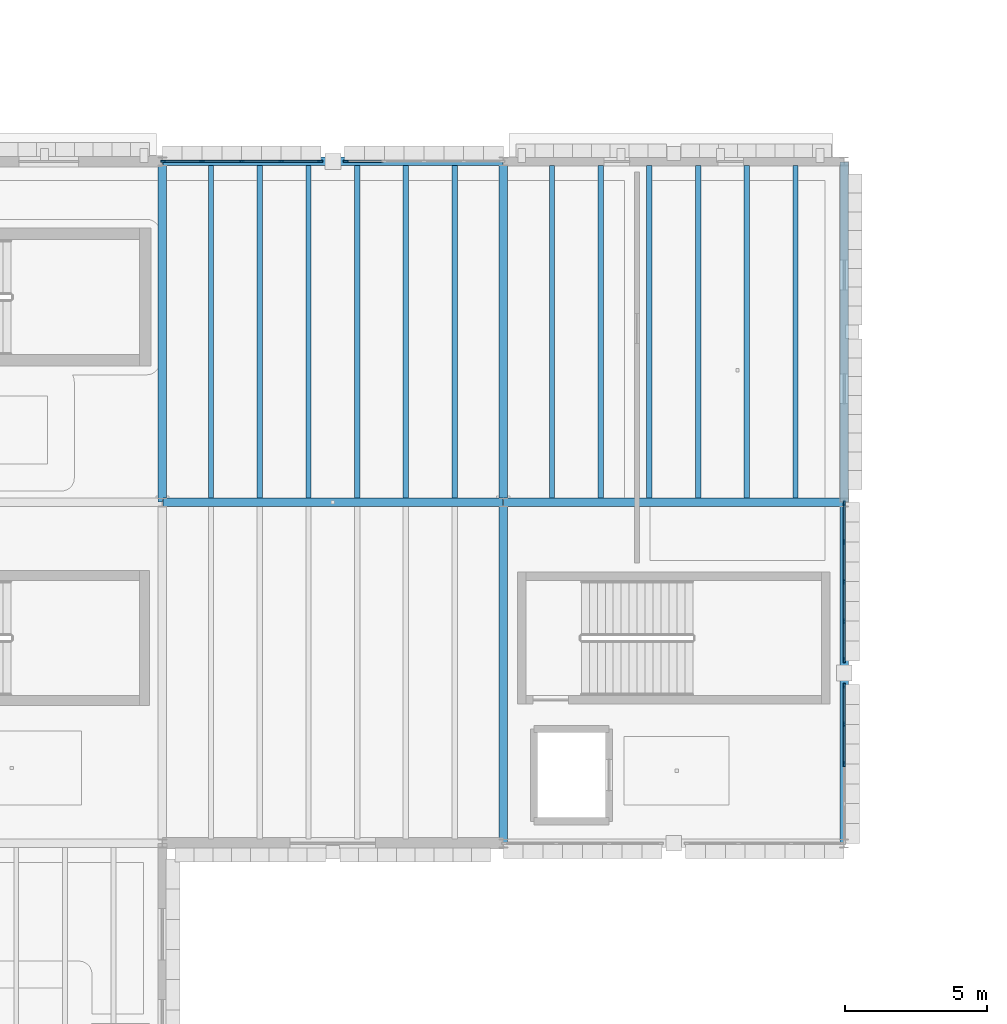
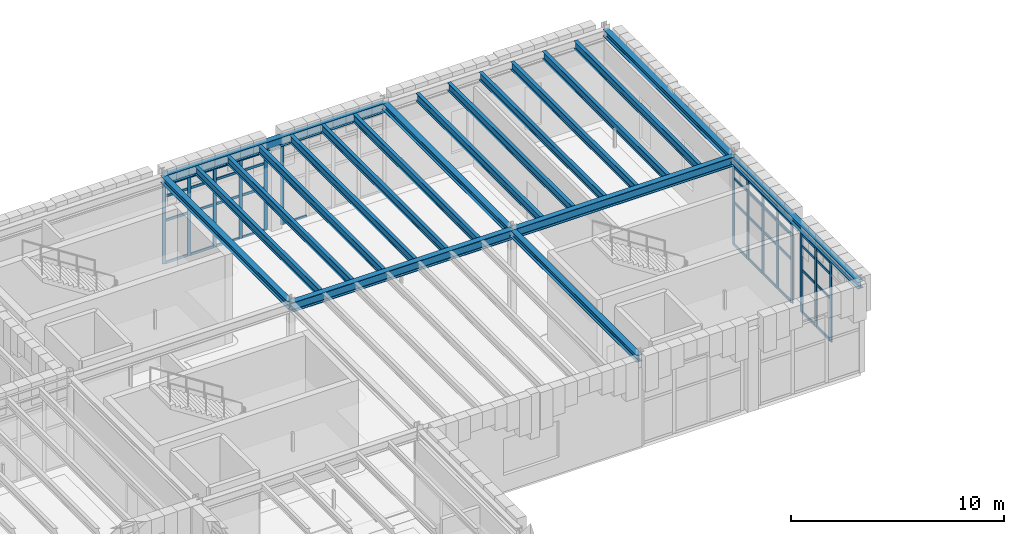
# One storey, part 42 of 100: 55 members, 20 beams, 4 elements without a shape of their own.
"""IFC4 building model written with IfcOpenShell, lengths in metres."""

from ifc_helpers import new_model, si_unit, direction, frame, origin, origin_2d, place, context, subcontext, project, spatial, rectangle, i_section, extrude, material, layer, layer_set, material_profile, profile_set, type_object, element, aggregate, save


model = new_model("IFC4")

# Units and contexts
model_context = context("Model", 3, precision=1e-05, world=origin(), true_north=direction((0.0, 1.0)))
body_context = subcontext(model_context, "Body", "Model", "MODEL_VIEW")
ifc_project = project(units=[si_unit("LENGTHUNIT", "METRE"), si_unit("AREAUNIT", "SQUARE_METRE"), si_unit("VOLUMEUNIT", "CUBIC_METRE"), si_unit("PLANEANGLEUNIT", "RADIAN"), si_unit("MASSUNIT", "GRAM", prefix="KILO")], contexts=[model_context])

# Site, building, storey
site_placement = place(None, origin())
site = spatial("IfcSite", under=ifc_project, at=site_placement, CompositionType="ELEMENT")
building_placement = place(site_placement, origin())
building = spatial("IfcBuilding", under=site, at=building_placement, Name="Zlatogorsky Bluff Art Gallery", CompositionType="ELEMENT")
storey_placement = place(building_placement, frame((0.0, 0.0, 5.39990234375)))
storey = spatial("IfcBuildingStorey", under=building, at=storey_placement, Name="L01", CompositionType="ELEMENT", Elevation=5.39990234375)

# Beams
ifc_material_1 = material(Name="Steel S355", Category="steel")
ifc_material_profile_1 = material_profile(ifc_material_1, i_section(OverallWidth=0.300048828125, OverallDepth=0.5400390625, WebThickness=0.012451171875, FlangeThickness=0.02392578125, FilletRadius=0.027099609375, at=origin_2d()), Name="HEA 550")
ifc_profile_set_1 = profile_set([ifc_material_profile_1], Name="Steel S355")
beam_type_1 = type_object("IfcBeamType", Name="Beam BM-06 HEA 550", PredefinedType="BEAM", material=ifc_profile_set_1)
for number, where, z_axis, x_axis, name in (
    (1, (132.014892578125, 96.0, 4.840087890625), (1.0, 0.0, 0.0), (0.0, 1.0, 0.0), "Primary girder BM-06 L01 M-N/10"),
    (2, (132.014892578125, 108.0, 4.840087890625), (1.0, 0.0, 0.0), (0.0, 1.0, 0.0), "Primary girder BM-06 L01 M-N/11"),
    (3, (144.014892578125, 96.0, 4.840087890625), (1.0, 0.0, 0.0), (0.0, 1.0, 0.0), "Primary girder BM-06 L01 N-P/10"),
):
    element("IfcBeam", number, at=place(storey_placement, frame(where, z_axis=z_axis, x_axis=x_axis)), inside=storey, type_object=beam_type_1, Name=name, PredefinedType="BEAM", context=body_context, shape_type="SweptSolid", body=[
        extrude(i_section(OverallWidth=0.300048828125, OverallDepth=0.5400390625, WebThickness=0.012451171875, FlangeThickness=0.02392578125, FilletRadius=0.027099609375, at=origin_2d()), origin(), (0.0, 0.0, 1.0), 11.97021484375),
    ])
ifc_material_profile_2 = material_profile(ifc_material_1, i_section(OverallWidth=0.300048828125, OverallDepth=0.389892578125, WebThickness=0.010986328125, FlangeThickness=0.01904296875, FilletRadius=0.027099609375, at=origin_2d()), Name="HEA 400")
ifc_profile_set_2 = profile_set([ifc_material_profile_2], Name="Steel S355")
beam_type_2 = type_object("IfcBeamType", Name="Beam BM-09 HEA 400", PredefinedType="BEAM", material=ifc_profile_set_2)
for number, where, z_axis, x_axis, name in (
    (4, (132.0, 96.014892578125, 4.9150390625), (0.0, 1.0, 0.0), (-1.0, 0.0, 0.0), "Primary girder BM-09 L01 M/10-11"),
    (5, (144.0, 84.014892578125, 4.9150390625), (0.0, 1.0, 0.0), (-1.0, 0.0, 0.0), "Primary girder BM-09 L01 N/9-10"),
    (6, (144.0, 96.014892578125, 4.9150390625), (0.0, 1.0, 0.0), (-1.0, 0.0, 0.0), "Primary girder BM-09 L01 N/10-11"),
    (7, (156.0, 84.014892578125, 4.9150390625), (0.0, 1.0, 0.0), (-1.0, 0.0, 0.0), "Primary girder BM-09 L01 P/9-10"),
    (8, (156.0, 96.014892578125, 4.9150390625), (0.0, 1.0, 0.0), (-1.0, 0.0, 0.0), "Primary girder BM-09 L01 P/10-11"),
):
    element("IfcBeam", number, at=place(storey_placement, frame(where, z_axis=z_axis, x_axis=x_axis)), inside=storey, type_object=beam_type_2, Name=name, PredefinedType="BEAM", context=body_context, shape_type="SweptSolid", body=[
        extrude(i_section(OverallWidth=0.300048828125, OverallDepth=0.389892578125, WebThickness=0.010986328125, FlangeThickness=0.01904296875, FilletRadius=0.027099609375, at=origin_2d()), origin(), (0.0, 0.0, 1.0), 11.97021484375),
    ])
ifc_material_profile_3 = material_profile(ifc_material_1, i_section(OverallWidth=0.18994140625, OverallDepth=0.449951171875, WebThickness=0.009521484375, FlangeThickness=0.0146484375, FilletRadius=0.02099609375, at=origin_2d()), Name="IPE 450")
ifc_profile_set_3 = profile_set([ifc_material_profile_3], Name="Steel S355")
beam_type_3 = type_object("IfcBeamType", Name="Beam JS-06 IPE 450", PredefinedType="JOIST", material=ifc_profile_set_3)
for number, where, z_axis, x_axis, name in (
    (9, (133.71435546875, 96.14990234375, 4.885009765625), (0.0, 1.0, 0.0), (-1.0, 0.0, 0.0), "Composite floor joist JS-06 L01 11.09.1"),
    (10, (135.428466796875, 96.14990234375, 4.885009765625), (0.0, 1.0, 0.0), (-1.0, 0.0, 0.0), "Composite floor joist JS-06 L01 11.09.2"),
    (11, (137.142822265625, 96.14990234375, 4.885009765625), (0.0, 1.0, 0.0), (-1.0, 0.0, 0.0), "Composite floor joist JS-06 L01 11.09.3"),
    (12, (138.857177734375, 96.14990234375, 4.885009765625), (0.0, 1.0, 0.0), (-1.0, 0.0, 0.0), "Composite floor joist JS-06 L01 11.09.4"),
    (13, (140.571533203125, 96.14990234375, 4.885009765625), (0.0, 1.0, 0.0), (-1.0, 0.0, 0.0), "Composite floor joist JS-06 L01 11.09.5"),
    (14, (142.28564453125, 96.14990234375, 4.885009765625), (0.0, 1.0, 0.0), (-1.0, 0.0, 0.0), "Composite floor joist JS-06 L01 11.09.6"),
    (15, (145.71435546875, 96.14990234375, 4.885009765625), (0.0, 1.0, 0.0), (-1.0, 0.0, 0.0), "Composite floor joist JS-06 L01 12.09.1"),
    (16, (147.428466796875, 96.14990234375, 4.885009765625), (0.0, 1.0, 0.0), (-1.0, 0.0, 0.0), "Composite floor joist JS-06 L01 12.09.2"),
    (17, (149.142822265625, 96.14990234375, 4.885009765625), (0.0, 1.0, 0.0), (-1.0, 0.0, 0.0), "Composite floor joist JS-06 L01 12.09.3"),
    (18, (150.857177734375, 96.14990234375, 4.885009765625), (0.0, 1.0, 0.0), (-1.0, 0.0, 0.0), "Composite floor joist JS-06 L01 12.09.4"),
    (19, (152.571533203125, 96.14990234375, 4.885009765625), (0.0, 1.0, 0.0), (-1.0, 0.0, 0.0), "Composite floor joist JS-06 L01 12.09.5"),
    (20, (154.28564453125, 96.14990234375, 4.885009765625), (0.0, 1.0, 0.0), (-1.0, 0.0, 0.0), "Composite floor joist JS-06 L01 12.09.6"),
):
    element("IfcBeam", number, at=place(storey_placement, frame(where, z_axis=z_axis, x_axis=x_axis)), inside=storey, type_object=beam_type_3, Name=name, PredefinedType="JOIST", context=body_context, shape_type="SweptSolid", body=[
        extrude(i_section(OverallWidth=0.18994140625, OverallDepth=0.449951171875, WebThickness=0.009521484375, FlangeThickness=0.0146484375, FilletRadius=0.02099609375, at=origin_2d()), origin(), (0.0, 0.0, 1.0), 11.7001953125),
    ])

# Curtain wall, member
ifc_material_2 = material(Name="Anodised Bronze Aluminium and Low-Iron Triple Glazing", Category="aluminium")
ifc_layer_1 = layer(ifc_material_2, 0.179931640625)
ifc_layer_set_1 = layer_set([ifc_layer_1], Name="Curtain Wall CW-01")
curtain_wall_type_1 = type_object("IfcCurtainWallType", Name="Curtain Wall CW-01", PredefinedType="USERDEFINED", material=ifc_layer_set_1)
curtain_wall_1_placement = place(storey_placement, origin())
curtain_wall_1 = element("IfcCurtainWall", 21, at=curtain_wall_1_placement, inside=storey, type_object=curtain_wall_type_1, Name="Unitised curtain wall CW-01 L01 N 11.9-A", ObjectType="CURTAIN WALL", PredefinedType="USERDEFINED")
ifc_material_3 = material(Name="Anodised Bronze Aluminium", Category="aluminium")
ifc_material_profile_4 = material_profile(ifc_material_3, rectangle(XDim=0.06494140625, YDim=0.179931640625, at=origin_2d()), Name="ALU MULLION 65x180")
ifc_profile_set_4 = profile_set([ifc_material_profile_4], Name="Anodised Bronze Aluminium")
member_type_1 = type_object("IfcMemberType", Name="Curtain Mullion ML-01", PredefinedType="MULLION", material=ifc_profile_set_4)
member_1_placement = place(storey_placement, frame((138.452392578125, 108.0, 0.0), z_axis=(0.0, 0.0, 1.0), x_axis=(0.0, -1.0, 0.0)))
member_1 = element("IfcMember", 22, at=member_1_placement, type_object=member_type_1, Name="CW-01 mullion 5", PredefinedType="MULLION", context=body_context, shape_type="SweptSolid", body=[
    extrude(rectangle(XDim=0.06494140625, YDim=0.179931640625, at=origin_2d()), origin(), (0.0, 0.0, 1.0), 4.530029296875),
])

# Curtain wall, members
curtain_wall_2_placement = place(storey_placement, origin())
curtain_wall_2 = element("IfcCurtainWall", 23, at=curtain_wall_2_placement, inside=storey, type_object=curtain_wall_type_1, Name="Unitised curtain wall CW-01 L01 N 11.9-B", ObjectType="CURTAIN WALL", PredefinedType="USERDEFINED")
member_2_placement = place(storey_placement, frame((137.547607421875, 108.0, 0.0), z_axis=(0.0, 0.0, 1.0), x_axis=(0.0, -1.0, 0.0)))
member_2 = element("IfcMember", 24, at=member_2_placement, type_object=member_type_1, Name="CW-01 mullion 1", PredefinedType="MULLION", context=body_context, shape_type="SweptSolid", body=[
    extrude(rectangle(XDim=0.06494140625, YDim=0.179931640625, at=origin_2d()), origin(), (0.0, 0.0, 1.0), 4.530029296875),
])
member_3_placement = place(storey_placement, frame((136.18505859375, 108.0, 0.0), z_axis=(0.0, 0.0, 1.0), x_axis=(0.0, -1.0, 0.0)))
member_3 = element("IfcMember", 25, at=member_3_placement, type_object=member_type_1, Name="CW-01 mullion 2", PredefinedType="MULLION", context=body_context, shape_type="SweptSolid", body=[
    extrude(rectangle(XDim=0.06494140625, YDim=0.179931640625, at=origin_2d()), origin(), (0.0, 0.0, 1.0), 4.530029296875),
])
member_4_placement = place(storey_placement, frame((134.7900390625, 108.0, 0.0), z_axis=(0.0, 0.0, 1.0), x_axis=(0.0, -1.0, 0.0)))
member_4 = element("IfcMember", 26, at=member_4_placement, type_object=member_type_1, Name="CW-01 mullion 3", PredefinedType="MULLION", context=body_context, shape_type="SweptSolid", body=[
    extrude(rectangle(XDim=0.06494140625, YDim=0.179931640625, at=origin_2d()), origin(), (0.0, 0.0, 1.0), 4.530029296875),
])
member_5_placement = place(storey_placement, frame((133.39501953125, 108.0, 0.0), z_axis=(0.0, 0.0, 1.0), x_axis=(0.0, -1.0, 0.0)))
member_5 = element("IfcMember", 27, at=member_5_placement, type_object=member_type_1, Name="CW-01 mullion 4", PredefinedType="MULLION", context=body_context, shape_type="SweptSolid", body=[
    extrude(rectangle(XDim=0.06494140625, YDim=0.179931640625, at=origin_2d()), origin(), (0.0, 0.0, 1.0), 4.530029296875),
])
member_6_placement = place(storey_placement, frame((132.032470703125, 108.0, 0.0), z_axis=(0.0, 0.0, 1.0), x_axis=(0.0, -1.0, 0.0)))
member_6 = element("IfcMember", 28, at=member_6_placement, type_object=member_type_1, Name="CW-01 mullion 5", PredefinedType="MULLION", context=body_context, shape_type="SweptSolid", body=[
    extrude(rectangle(XDim=0.06494140625, YDim=0.179931640625, at=origin_2d()), origin(), (0.0, 0.0, 1.0), 4.530029296875),
])

ifc_layer_2 = layer(ifc_material_2, 0.199951171875)
ifc_layer_set_2 = layer_set([ifc_layer_2], Name="Curtain Wall CW-02")
curtain_wall_type_2 = type_object("IfcCurtainWallType", Name="Curtain Wall CW-02", PredefinedType="USERDEFINED", material=ifc_layer_set_2)
curtain_wall_3_placement = place(storey_placement, origin())
curtain_wall_3 = element("IfcCurtainWall", 29, at=curtain_wall_3_placement, inside=storey, type_object=curtain_wall_type_2, Name="Unitised curtain wall CW-02 L01 E 12.8-A", ObjectType="CURTAIN WALL", PredefinedType="USERDEFINED")
member_7_placement = place(storey_placement, frame((156.0, 86.7900390625, 0.0), z_axis=(0.0, 0.0, 1.0), x_axis=(-1.0, 0.0, 0.0)))
member_7 = element("IfcMember", 30, at=member_7_placement, type_object=member_type_1, Name="CW-02 mullion 3", PredefinedType="MULLION", context=body_context, shape_type="SweptSolid", body=[
    extrude(rectangle(XDim=0.06494140625, YDim=0.179931640625, at=origin_2d()), origin(), (0.0, 0.0, 1.0), 4.530029296875),
])
member_8_placement = place(storey_placement, frame((156.0, 88.18505859375, 0.0), z_axis=(0.0, 0.0, 1.0), x_axis=(-1.0, 0.0, 0.0)))
member_8 = element("IfcMember", 31, at=member_8_placement, type_object=member_type_1, Name="CW-02 mullion 4", PredefinedType="MULLION", context=body_context, shape_type="SweptSolid", body=[
    extrude(rectangle(XDim=0.06494140625, YDim=0.179931640625, at=origin_2d()), origin(), (0.0, 0.0, 1.0), 4.530029296875),
])
member_9_placement = place(storey_placement, frame((156.0, 89.547607421875, 0.0), z_axis=(0.0, 0.0, 1.0), x_axis=(-1.0, 0.0, 0.0)))
member_9 = element("IfcMember", 32, at=member_9_placement, type_object=member_type_1, Name="CW-02 mullion 5", PredefinedType="MULLION", context=body_context, shape_type="SweptSolid", body=[
    extrude(rectangle(XDim=0.06494140625, YDim=0.179931640625, at=origin_2d()), origin(), (0.0, 0.0, 1.0), 4.530029296875),
])

curtain_wall_4_placement = place(storey_placement, origin())
curtain_wall_4 = element("IfcCurtainWall", 33, at=curtain_wall_4_placement, inside=storey, type_object=curtain_wall_type_2, Name="Unitised curtain wall CW-02 L01 E 12.8-B", ObjectType="CURTAIN WALL", PredefinedType="USERDEFINED")
member_10_placement = place(storey_placement, frame((156.0, 90.452392578125, 0.0), z_axis=(0.0, 0.0, 1.0), x_axis=(-1.0, 0.0, 0.0)))
member_10 = element("IfcMember", 34, at=member_10_placement, type_object=member_type_1, Name="CW-02 mullion 1", PredefinedType="MULLION", context=body_context, shape_type="SweptSolid", body=[
    extrude(rectangle(XDim=0.06494140625, YDim=0.179931640625, at=origin_2d()), origin(), (0.0, 0.0, 1.0), 4.530029296875),
])
member_11_placement = place(storey_placement, frame((156.0, 91.81494140625, 0.0), z_axis=(0.0, 0.0, 1.0), x_axis=(-1.0, 0.0, 0.0)))
member_11 = element("IfcMember", 35, at=member_11_placement, type_object=member_type_1, Name="CW-02 mullion 2", PredefinedType="MULLION", context=body_context, shape_type="SweptSolid", body=[
    extrude(rectangle(XDim=0.06494140625, YDim=0.179931640625, at=origin_2d()), origin(), (0.0, 0.0, 1.0), 4.530029296875),
])
member_12_placement = place(storey_placement, frame((156.0, 93.2099609375, 0.0), z_axis=(0.0, 0.0, 1.0), x_axis=(-1.0, 0.0, 0.0)))
member_12 = element("IfcMember", 36, at=member_12_placement, type_object=member_type_1, Name="CW-02 mullion 3", PredefinedType="MULLION", context=body_context, shape_type="SweptSolid", body=[
    extrude(rectangle(XDim=0.06494140625, YDim=0.179931640625, at=origin_2d()), origin(), (0.0, 0.0, 1.0), 4.530029296875),
])
member_13_placement = place(storey_placement, frame((156.0, 94.60498046875, 0.0), z_axis=(0.0, 0.0, 1.0), x_axis=(-1.0, 0.0, 0.0)))
member_13 = element("IfcMember", 37, at=member_13_placement, type_object=member_type_1, Name="CW-02 mullion 4", PredefinedType="MULLION", context=body_context, shape_type="SweptSolid", body=[
    extrude(rectangle(XDim=0.06494140625, YDim=0.179931640625, at=origin_2d()), origin(), (0.0, 0.0, 1.0), 4.530029296875),
])
member_14_placement = place(storey_placement, frame((156.0, 95.967529296875, 0.0), z_axis=(0.0, 0.0, 1.0), x_axis=(-1.0, 0.0, 0.0)))
member_14 = element("IfcMember", 38, at=member_14_placement, type_object=member_type_1, Name="CW-02 mullion 5", PredefinedType="MULLION", context=body_context, shape_type="SweptSolid", body=[
    extrude(rectangle(XDim=0.06494140625, YDim=0.179931640625, at=origin_2d()), origin(), (0.0, 0.0, 1.0), 4.530029296875),
])

# Member
ifc_material_profile_5 = material_profile(ifc_material_3, rectangle(XDim=0.06494140625, YDim=0.139892578125, at=origin_2d()), Name="ALU TRANSOM 65x140")
ifc_profile_set_5 = profile_set([ifc_material_profile_5], Name="Anodised Bronze Aluminium")
member_type_2 = type_object("IfcMemberType", Name="Curtain Transom TR-01", PredefinedType="USERDEFINED", material=ifc_profile_set_5)
member_15_placement = place(storey_placement, frame((139.782470703125, 108.0, 0.03271484375), z_axis=(-1.0, 0.0, 0.0), x_axis=(0.0, -1.0, 0.0)))
member_15 = element("IfcMember", 39, at=member_15_placement, type_object=member_type_2, Name="CW-01 transom 4.1", ObjectType="TRANSOM", PredefinedType="USERDEFINED", context=body_context, shape_type="SweptSolid", body=[
    extrude(rectangle(XDim=0.06494140625, YDim=0.139892578125, at=origin_2d()), origin(), (0.0, 0.0, 1.0), 1.29736328125),
])

aggregate(curtain_wall_1, [member_1, member_15])

member_16_placement = place(storey_placement, frame((137.514892578125, 108.0, 0.03271484375), z_axis=(-1.0, 0.0, 0.0), x_axis=(0.0, -1.0, 0.0)))
member_16 = element("IfcMember", 40, at=member_16_placement, type_object=member_type_2, Name="CW-01 transom 1.1", ObjectType="TRANSOM", PredefinedType="USERDEFINED", context=body_context, shape_type="SweptSolid", body=[
    extrude(rectangle(XDim=0.06494140625, YDim=0.139892578125, at=origin_2d()), origin(), (0.0, 0.0, 1.0), 1.29736328125),
])

member_17_placement = place(storey_placement, frame((137.514892578125, 108.0, 2.4501953125), z_axis=(-1.0, 0.0, 0.0), x_axis=(0.0, -1.0, 0.0)))
member_17 = element("IfcMember", 41, at=member_17_placement, type_object=member_type_2, Name="CW-01 transom 1.2", ObjectType="TRANSOM", PredefinedType="USERDEFINED", context=body_context, shape_type="SweptSolid", body=[
    extrude(rectangle(XDim=0.06494140625, YDim=0.139892578125, at=origin_2d()), origin(), (0.0, 0.0, 1.0), 1.29736328125),
])

member_18_placement = place(storey_placement, frame((137.514892578125, 108.0, 3.85009765625), z_axis=(-1.0, 0.0, 0.0), x_axis=(0.0, -1.0, 0.0)))
member_18 = element("IfcMember", 42, at=member_18_placement, type_object=member_type_2, Name="CW-01 transom 1.3", ObjectType="TRANSOM", PredefinedType="USERDEFINED", context=body_context, shape_type="SweptSolid", body=[
    extrude(rectangle(XDim=0.06494140625, YDim=0.139892578125, at=origin_2d()), origin(), (0.0, 0.0, 1.0), 1.29736328125),
])

member_19_placement = place(storey_placement, frame((137.514892578125, 108.0, 4.49755859375), z_axis=(-1.0, 0.0, 0.0), x_axis=(0.0, -1.0, 0.0)))
member_19 = element("IfcMember", 43, at=member_19_placement, type_object=member_type_2, Name="CW-01 transom 1.4", ObjectType="TRANSOM", PredefinedType="USERDEFINED", context=body_context, shape_type="SweptSolid", body=[
    extrude(rectangle(XDim=0.06494140625, YDim=0.139892578125, at=origin_2d()), origin(), (0.0, 0.0, 1.0), 1.29736328125),
])

member_20_placement = place(storey_placement, frame((136.152587890625, 108.0, 0.03271484375), z_axis=(-1.0, 0.0, 0.0), x_axis=(0.0, -1.0, 0.0)))
member_20 = element("IfcMember", 44, at=member_20_placement, type_object=member_type_2, Name="CW-01 transom 2.1", ObjectType="TRANSOM", PredefinedType="USERDEFINED", context=body_context, shape_type="SweptSolid", body=[
    extrude(rectangle(XDim=0.06494140625, YDim=0.139892578125, at=origin_2d()), origin(), (0.0, 0.0, 1.0), 1.330078125),
])

member_21_placement = place(storey_placement, frame((136.152587890625, 108.0, 2.4501953125), z_axis=(-1.0, 0.0, 0.0), x_axis=(0.0, -1.0, 0.0)))
member_21 = element("IfcMember", 45, at=member_21_placement, type_object=member_type_2, Name="CW-01 transom 2.2", ObjectType="TRANSOM", PredefinedType="USERDEFINED", context=body_context, shape_type="SweptSolid", body=[
    extrude(rectangle(XDim=0.06494140625, YDim=0.139892578125, at=origin_2d()), origin(), (0.0, 0.0, 1.0), 1.330078125),
])

member_22_placement = place(storey_placement, frame((136.152587890625, 108.0, 3.85009765625), z_axis=(-1.0, 0.0, 0.0), x_axis=(0.0, -1.0, 0.0)))
member_22 = element("IfcMember", 46, at=member_22_placement, type_object=member_type_2, Name="CW-01 transom 2.3", ObjectType="TRANSOM", PredefinedType="USERDEFINED", context=body_context, shape_type="SweptSolid", body=[
    extrude(rectangle(XDim=0.06494140625, YDim=0.139892578125, at=origin_2d()), origin(), (0.0, 0.0, 1.0), 1.330078125),
])

member_23_placement = place(storey_placement, frame((136.152587890625, 108.0, 4.49755859375), z_axis=(-1.0, 0.0, 0.0), x_axis=(0.0, -1.0, 0.0)))
member_23 = element("IfcMember", 47, at=member_23_placement, type_object=member_type_2, Name="CW-01 transom 2.4", ObjectType="TRANSOM", PredefinedType="USERDEFINED", context=body_context, shape_type="SweptSolid", body=[
    extrude(rectangle(XDim=0.06494140625, YDim=0.139892578125, at=origin_2d()), origin(), (0.0, 0.0, 1.0), 1.330078125),
])

member_24_placement = place(storey_placement, frame((134.757568359375, 108.0, 0.03271484375), z_axis=(-1.0, 0.0, 0.0), x_axis=(0.0, -1.0, 0.0)))
member_24 = element("IfcMember", 48, at=member_24_placement, type_object=member_type_2, Name="CW-01 transom 3.1", ObjectType="TRANSOM", PredefinedType="USERDEFINED", context=body_context, shape_type="SweptSolid", body=[
    extrude(rectangle(XDim=0.06494140625, YDim=0.139892578125, at=origin_2d()), origin(), (0.0, 0.0, 1.0), 1.330078125),
])

member_25_placement = place(storey_placement, frame((134.757568359375, 108.0, 2.4501953125), z_axis=(-1.0, 0.0, 0.0), x_axis=(0.0, -1.0, 0.0)))
member_25 = element("IfcMember", 49, at=member_25_placement, type_object=member_type_2, Name="CW-01 transom 3.2", ObjectType="TRANSOM", PredefinedType="USERDEFINED", context=body_context, shape_type="SweptSolid", body=[
    extrude(rectangle(XDim=0.06494140625, YDim=0.139892578125, at=origin_2d()), origin(), (0.0, 0.0, 1.0), 1.330078125),
])

member_26_placement = place(storey_placement, frame((134.757568359375, 108.0, 3.85009765625), z_axis=(-1.0, 0.0, 0.0), x_axis=(0.0, -1.0, 0.0)))
member_26 = element("IfcMember", 50, at=member_26_placement, type_object=member_type_2, Name="CW-01 transom 3.3", ObjectType="TRANSOM", PredefinedType="USERDEFINED", context=body_context, shape_type="SweptSolid", body=[
    extrude(rectangle(XDim=0.06494140625, YDim=0.139892578125, at=origin_2d()), origin(), (0.0, 0.0, 1.0), 1.330078125),
])

member_27_placement = place(storey_placement, frame((134.757568359375, 108.0, 4.49755859375), z_axis=(-1.0, 0.0, 0.0), x_axis=(0.0, -1.0, 0.0)))
member_27 = element("IfcMember", 51, at=member_27_placement, type_object=member_type_2, Name="CW-01 transom 3.4", ObjectType="TRANSOM", PredefinedType="USERDEFINED", context=body_context, shape_type="SweptSolid", body=[
    extrude(rectangle(XDim=0.06494140625, YDim=0.139892578125, at=origin_2d()), origin(), (0.0, 0.0, 1.0), 1.330078125),
])

member_28_placement = place(storey_placement, frame((133.362548828125, 108.0, 0.03271484375), z_axis=(-1.0, 0.0, 0.0), x_axis=(0.0, -1.0, 0.0)))
member_28 = element("IfcMember", 52, at=member_28_placement, type_object=member_type_2, Name="CW-01 transom 4.1", ObjectType="TRANSOM", PredefinedType="USERDEFINED", context=body_context, shape_type="SweptSolid", body=[
    extrude(rectangle(XDim=0.06494140625, YDim=0.139892578125, at=origin_2d()), origin(), (0.0, 0.0, 1.0), 1.297607421875),
])

member_29_placement = place(storey_placement, frame((133.362548828125, 108.0, 2.4501953125), z_axis=(-1.0, 0.0, 0.0), x_axis=(0.0, -1.0, 0.0)))
member_29 = element("IfcMember", 53, at=member_29_placement, type_object=member_type_2, Name="CW-01 transom 4.2", ObjectType="TRANSOM", PredefinedType="USERDEFINED", context=body_context, shape_type="SweptSolid", body=[
    extrude(rectangle(XDim=0.06494140625, YDim=0.139892578125, at=origin_2d()), origin(), (0.0, 0.0, 1.0), 1.297607421875),
])

member_30_placement = place(storey_placement, frame((133.362548828125, 108.0, 3.85009765625), z_axis=(-1.0, 0.0, 0.0), x_axis=(0.0, -1.0, 0.0)))
member_30 = element("IfcMember", 54, at=member_30_placement, type_object=member_type_2, Name="CW-01 transom 4.3", ObjectType="TRANSOM", PredefinedType="USERDEFINED", context=body_context, shape_type="SweptSolid", body=[
    extrude(rectangle(XDim=0.06494140625, YDim=0.139892578125, at=origin_2d()), origin(), (0.0, 0.0, 1.0), 1.297607421875),
])

member_31_placement = place(storey_placement, frame((133.362548828125, 108.0, 4.49755859375), z_axis=(-1.0, 0.0, 0.0), x_axis=(0.0, -1.0, 0.0)))
member_31 = element("IfcMember", 55, at=member_31_placement, type_object=member_type_2, Name="CW-01 transom 4.4", ObjectType="TRANSOM", PredefinedType="USERDEFINED", context=body_context, shape_type="SweptSolid", body=[
    extrude(rectangle(XDim=0.06494140625, YDim=0.139892578125, at=origin_2d()), origin(), (0.0, 0.0, 1.0), 1.297607421875),
])

aggregate(curtain_wall_2, [member_2, member_3, member_4, member_5, member_6, member_16, member_17, member_18, member_19, member_20, member_21, member_22, member_23, member_24, member_25, member_26, member_27, member_28, member_29, member_30, member_31])

member_32_placement = place(storey_placement, frame((156.0, 86.822509765625, 0.03271484375), z_axis=(0.0, 1.0, 0.0), x_axis=(-1.0, 0.0, 0.0)))
member_32 = element("IfcMember", 56, at=member_32_placement, type_object=member_type_2, Name="CW-02 transom 3.1", ObjectType="TRANSOM", PredefinedType="USERDEFINED", context=body_context, shape_type="SweptSolid", body=[
    extrude(rectangle(XDim=0.06494140625, YDim=0.139892578125, at=origin_2d()), origin(), (0.0, 0.0, 1.0), 1.330078125),
])

member_33_placement = place(storey_placement, frame((156.0, 86.822509765625, 2.4501953125), z_axis=(0.0, 1.0, 0.0), x_axis=(-1.0, 0.0, 0.0)))
member_33 = element("IfcMember", 57, at=member_33_placement, type_object=member_type_2, Name="CW-02 transom 3.2", ObjectType="TRANSOM", PredefinedType="USERDEFINED", context=body_context, shape_type="SweptSolid", body=[
    extrude(rectangle(XDim=0.06494140625, YDim=0.139892578125, at=origin_2d()), origin(), (0.0, 0.0, 1.0), 1.330078125),
])

member_34_placement = place(storey_placement, frame((156.0, 86.822509765625, 3.85009765625), z_axis=(0.0, 1.0, 0.0), x_axis=(-1.0, 0.0, 0.0)))
member_34 = element("IfcMember", 58, at=member_34_placement, type_object=member_type_2, Name="CW-02 transom 3.3", ObjectType="TRANSOM", PredefinedType="USERDEFINED", context=body_context, shape_type="SweptSolid", body=[
    extrude(rectangle(XDim=0.06494140625, YDim=0.139892578125, at=origin_2d()), origin(), (0.0, 0.0, 1.0), 1.330078125),
])

member_35_placement = place(storey_placement, frame((156.0, 86.822509765625, 4.49755859375), z_axis=(0.0, 1.0, 0.0), x_axis=(-1.0, 0.0, 0.0)))
member_35 = element("IfcMember", 59, at=member_35_placement, type_object=member_type_2, Name="CW-02 transom 3.4", ObjectType="TRANSOM", PredefinedType="USERDEFINED", context=body_context, shape_type="SweptSolid", body=[
    extrude(rectangle(XDim=0.06494140625, YDim=0.139892578125, at=origin_2d()), origin(), (0.0, 0.0, 1.0), 1.330078125),
])

member_36_placement = place(storey_placement, frame((156.0, 88.217529296875, 0.03271484375), z_axis=(0.0, 1.0, 0.0), x_axis=(-1.0, 0.0, 0.0)))
member_36 = element("IfcMember", 60, at=member_36_placement, type_object=member_type_2, Name="CW-02 transom 4.1", ObjectType="TRANSOM", PredefinedType="USERDEFINED", context=body_context, shape_type="SweptSolid", body=[
    extrude(rectangle(XDim=0.06494140625, YDim=0.139892578125, at=origin_2d()), origin(), (0.0, 0.0, 1.0), 1.29736328125),
])

member_37_placement = place(storey_placement, frame((156.0, 88.217529296875, 2.4501953125), z_axis=(0.0, 1.0, 0.0), x_axis=(-1.0, 0.0, 0.0)))
member_37 = element("IfcMember", 61, at=member_37_placement, type_object=member_type_2, Name="CW-02 transom 4.2", ObjectType="TRANSOM", PredefinedType="USERDEFINED", context=body_context, shape_type="SweptSolid", body=[
    extrude(rectangle(XDim=0.06494140625, YDim=0.139892578125, at=origin_2d()), origin(), (0.0, 0.0, 1.0), 1.29736328125),
])

member_38_placement = place(storey_placement, frame((156.0, 88.217529296875, 3.85009765625), z_axis=(0.0, 1.0, 0.0), x_axis=(-1.0, 0.0, 0.0)))
member_38 = element("IfcMember", 62, at=member_38_placement, type_object=member_type_2, Name="CW-02 transom 4.3", ObjectType="TRANSOM", PredefinedType="USERDEFINED", context=body_context, shape_type="SweptSolid", body=[
    extrude(rectangle(XDim=0.06494140625, YDim=0.139892578125, at=origin_2d()), origin(), (0.0, 0.0, 1.0), 1.29736328125),
])

member_39_placement = place(storey_placement, frame((156.0, 88.217529296875, 4.49755859375), z_axis=(0.0, 1.0, 0.0), x_axis=(-1.0, 0.0, 0.0)))
member_39 = element("IfcMember", 63, at=member_39_placement, type_object=member_type_2, Name="CW-02 transom 4.4", ObjectType="TRANSOM", PredefinedType="USERDEFINED", context=body_context, shape_type="SweptSolid", body=[
    extrude(rectangle(XDim=0.06494140625, YDim=0.139892578125, at=origin_2d()), origin(), (0.0, 0.0, 1.0), 1.29736328125),
])

aggregate(curtain_wall_3, [member_7, member_8, member_9, member_32, member_33, member_34, member_35, member_36, member_37, member_38, member_39])

member_40_placement = place(storey_placement, frame((156.0, 90.485107421875, 0.03271484375), z_axis=(0.0, 1.0, 0.0), x_axis=(-1.0, 0.0, 0.0)))
member_40 = element("IfcMember", 64, at=member_40_placement, type_object=member_type_2, Name="CW-02 transom 1.1", ObjectType="TRANSOM", PredefinedType="USERDEFINED", context=body_context, shape_type="SweptSolid", body=[
    extrude(rectangle(XDim=0.06494140625, YDim=0.139892578125, at=origin_2d()), origin(), (0.0, 0.0, 1.0), 1.29736328125),
])

member_41_placement = place(storey_placement, frame((156.0, 90.485107421875, 2.4501953125), z_axis=(0.0, 1.0, 0.0), x_axis=(-1.0, 0.0, 0.0)))
member_41 = element("IfcMember", 65, at=member_41_placement, type_object=member_type_2, Name="CW-02 transom 1.2", ObjectType="TRANSOM", PredefinedType="USERDEFINED", context=body_context, shape_type="SweptSolid", body=[
    extrude(rectangle(XDim=0.06494140625, YDim=0.139892578125, at=origin_2d()), origin(), (0.0, 0.0, 1.0), 1.29736328125),
])

member_42_placement = place(storey_placement, frame((156.0, 90.485107421875, 3.85009765625), z_axis=(0.0, 1.0, 0.0), x_axis=(-1.0, 0.0, 0.0)))
member_42 = element("IfcMember", 66, at=member_42_placement, type_object=member_type_2, Name="CW-02 transom 1.3", ObjectType="TRANSOM", PredefinedType="USERDEFINED", context=body_context, shape_type="SweptSolid", body=[
    extrude(rectangle(XDim=0.06494140625, YDim=0.139892578125, at=origin_2d()), origin(), (0.0, 0.0, 1.0), 1.29736328125),
])

member_43_placement = place(storey_placement, frame((156.0, 90.485107421875, 4.49755859375), z_axis=(0.0, 1.0, 0.0), x_axis=(-1.0, 0.0, 0.0)))
member_43 = element("IfcMember", 67, at=member_43_placement, type_object=member_type_2, Name="CW-02 transom 1.4", ObjectType="TRANSOM", PredefinedType="USERDEFINED", context=body_context, shape_type="SweptSolid", body=[
    extrude(rectangle(XDim=0.06494140625, YDim=0.139892578125, at=origin_2d()), origin(), (0.0, 0.0, 1.0), 1.29736328125),
])

member_44_placement = place(storey_placement, frame((156.0, 91.847412109375, 0.03271484375), z_axis=(0.0, 1.0, 0.0), x_axis=(-1.0, 0.0, 0.0)))
member_44 = element("IfcMember", 68, at=member_44_placement, type_object=member_type_2, Name="CW-02 transom 2.1", ObjectType="TRANSOM", PredefinedType="USERDEFINED", context=body_context, shape_type="SweptSolid", body=[
    extrude(rectangle(XDim=0.06494140625, YDim=0.139892578125, at=origin_2d()), origin(), (0.0, 0.0, 1.0), 1.330078125),
])

member_45_placement = place(storey_placement, frame((156.0, 91.847412109375, 2.4501953125), z_axis=(0.0, 1.0, 0.0), x_axis=(-1.0, 0.0, 0.0)))
member_45 = element("IfcMember", 69, at=member_45_placement, type_object=member_type_2, Name="CW-02 transom 2.2", ObjectType="TRANSOM", PredefinedType="USERDEFINED", context=body_context, shape_type="SweptSolid", body=[
    extrude(rectangle(XDim=0.06494140625, YDim=0.139892578125, at=origin_2d()), origin(), (0.0, 0.0, 1.0), 1.330078125),
])

member_46_placement = place(storey_placement, frame((156.0, 91.847412109375, 3.85009765625), z_axis=(0.0, 1.0, 0.0), x_axis=(-1.0, 0.0, 0.0)))
member_46 = element("IfcMember", 70, at=member_46_placement, type_object=member_type_2, Name="CW-02 transom 2.3", ObjectType="TRANSOM", PredefinedType="USERDEFINED", context=body_context, shape_type="SweptSolid", body=[
    extrude(rectangle(XDim=0.06494140625, YDim=0.139892578125, at=origin_2d()), origin(), (0.0, 0.0, 1.0), 1.330078125),
])

member_47_placement = place(storey_placement, frame((156.0, 91.847412109375, 4.49755859375), z_axis=(0.0, 1.0, 0.0), x_axis=(-1.0, 0.0, 0.0)))
member_47 = element("IfcMember", 71, at=member_47_placement, type_object=member_type_2, Name="CW-02 transom 2.4", ObjectType="TRANSOM", PredefinedType="USERDEFINED", context=body_context, shape_type="SweptSolid", body=[
    extrude(rectangle(XDim=0.06494140625, YDim=0.139892578125, at=origin_2d()), origin(), (0.0, 0.0, 1.0), 1.330078125),
])

member_48_placement = place(storey_placement, frame((156.0, 93.242431640625, 0.03271484375), z_axis=(0.0, 1.0, 0.0), x_axis=(-1.0, 0.0, 0.0)))
member_48 = element("IfcMember", 72, at=member_48_placement, type_object=member_type_2, Name="CW-02 transom 3.1", ObjectType="TRANSOM", PredefinedType="USERDEFINED", context=body_context, shape_type="SweptSolid", body=[
    extrude(rectangle(XDim=0.06494140625, YDim=0.139892578125, at=origin_2d()), origin(), (0.0, 0.0, 1.0), 1.330078125),
])

member_49_placement = place(storey_placement, frame((156.0, 93.242431640625, 2.4501953125), z_axis=(0.0, 1.0, 0.0), x_axis=(-1.0, 0.0, 0.0)))
member_49 = element("IfcMember", 73, at=member_49_placement, type_object=member_type_2, Name="CW-02 transom 3.2", ObjectType="TRANSOM", PredefinedType="USERDEFINED", context=body_context, shape_type="SweptSolid", body=[
    extrude(rectangle(XDim=0.06494140625, YDim=0.139892578125, at=origin_2d()), origin(), (0.0, 0.0, 1.0), 1.330078125),
])

member_50_placement = place(storey_placement, frame((156.0, 93.242431640625, 3.85009765625), z_axis=(0.0, 1.0, 0.0), x_axis=(-1.0, 0.0, 0.0)))
member_50 = element("IfcMember", 74, at=member_50_placement, type_object=member_type_2, Name="CW-02 transom 3.3", ObjectType="TRANSOM", PredefinedType="USERDEFINED", context=body_context, shape_type="SweptSolid", body=[
    extrude(rectangle(XDim=0.06494140625, YDim=0.139892578125, at=origin_2d()), origin(), (0.0, 0.0, 1.0), 1.330078125),
])

member_51_placement = place(storey_placement, frame((156.0, 93.242431640625, 4.49755859375), z_axis=(0.0, 1.0, 0.0), x_axis=(-1.0, 0.0, 0.0)))
member_51 = element("IfcMember", 75, at=member_51_placement, type_object=member_type_2, Name="CW-02 transom 3.4", ObjectType="TRANSOM", PredefinedType="USERDEFINED", context=body_context, shape_type="SweptSolid", body=[
    extrude(rectangle(XDim=0.06494140625, YDim=0.139892578125, at=origin_2d()), origin(), (0.0, 0.0, 1.0), 1.330078125),
])

member_52_placement = place(storey_placement, frame((156.0, 94.637451171875, 0.03271484375), z_axis=(0.0, 1.0, 0.0), x_axis=(-1.0, 0.0, 0.0)))
member_52 = element("IfcMember", 76, at=member_52_placement, type_object=member_type_2, Name="CW-02 transom 4.1", ObjectType="TRANSOM", PredefinedType="USERDEFINED", context=body_context, shape_type="SweptSolid", body=[
    extrude(rectangle(XDim=0.06494140625, YDim=0.139892578125, at=origin_2d()), origin(), (0.0, 0.0, 1.0), 1.297607421875),
])

member_53_placement = place(storey_placement, frame((156.0, 94.637451171875, 2.4501953125), z_axis=(0.0, 1.0, 0.0), x_axis=(-1.0, 0.0, 0.0)))
member_53 = element("IfcMember", 77, at=member_53_placement, type_object=member_type_2, Name="CW-02 transom 4.2", ObjectType="TRANSOM", PredefinedType="USERDEFINED", context=body_context, shape_type="SweptSolid", body=[
    extrude(rectangle(XDim=0.06494140625, YDim=0.139892578125, at=origin_2d()), origin(), (0.0, 0.0, 1.0), 1.297607421875),
])

member_54_placement = place(storey_placement, frame((156.0, 94.637451171875, 3.85009765625), z_axis=(0.0, 1.0, 0.0), x_axis=(-1.0, 0.0, 0.0)))
member_54 = element("IfcMember", 78, at=member_54_placement, type_object=member_type_2, Name="CW-02 transom 4.3", ObjectType="TRANSOM", PredefinedType="USERDEFINED", context=body_context, shape_type="SweptSolid", body=[
    extrude(rectangle(XDim=0.06494140625, YDim=0.139892578125, at=origin_2d()), origin(), (0.0, 0.0, 1.0), 1.297607421875),
])

member_55_placement = place(storey_placement, frame((156.0, 94.637451171875, 4.49755859375), z_axis=(0.0, 1.0, 0.0), x_axis=(-1.0, 0.0, 0.0)))
member_55 = element("IfcMember", 79, at=member_55_placement, type_object=member_type_2, Name="CW-02 transom 4.4", ObjectType="TRANSOM", PredefinedType="USERDEFINED", context=body_context, shape_type="SweptSolid", body=[
    extrude(rectangle(XDim=0.06494140625, YDim=0.139892578125, at=origin_2d()), origin(), (0.0, 0.0, 1.0), 1.297607421875),
])

aggregate(curtain_wall_4, [member_10, member_11, member_12, member_13, member_14, member_40, member_41, member_42, member_43, member_44, member_45, member_46, member_47, member_48, member_49, member_50, member_51, member_52, member_53, member_54, member_55])

save(model, "model.ifc")
